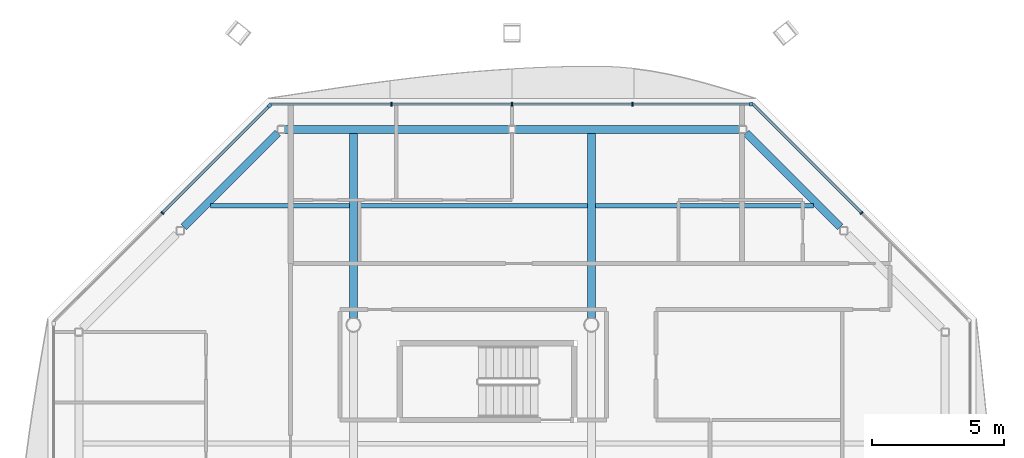
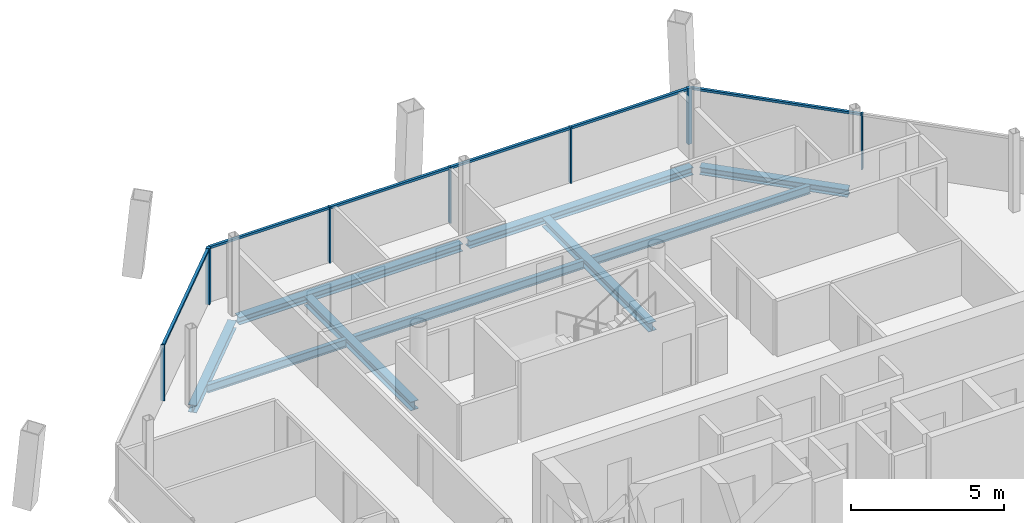
# One storey, part 8 of 16: 13 members, 9 beams, 3 elements without a shape of their own.
"""IFC4 building model written with IfcOpenShell, lengths in metres."""

from ifc_helpers import new_model, si_unit, direction, frame, origin, origin_2d, place, context, subcontext, project, spatial, rectangle, i_section, extrude, material, material_profile, profile_set, type_object, element, aggregate, save


model = new_model("IFC4")

# Units and contexts
model_context = context("Model", 3, precision=1e-05, world=origin(), true_north=direction((0.0, 1.0)))
body_context = subcontext(model_context, "Body", "Model", "MODEL_VIEW")
ifc_project = project(units=[si_unit("LENGTHUNIT", "METRE"), si_unit("AREAUNIT", "SQUARE_METRE"), si_unit("VOLUMEUNIT", "CUBIC_METRE"), si_unit("PLANEANGLEUNIT", "RADIAN"), si_unit("MASSUNIT", "GRAM", prefix="KILO")], contexts=[model_context])

# Site, building, storey
site_placement = place(None, origin())
site = spatial("IfcSite", under=ifc_project, at=site_placement, CompositionType="ELEMENT")
building_placement = place(site_placement, origin())
building = spatial("IfcBuilding", under=site, at=building_placement, Name="Tskaro Facet Tower", CompositionType="ELEMENT")
storey_placement = place(building_placement, frame((0.0, 0.0, 251.85009765625)))
storey = spatial("IfcBuildingStorey", under=building, at=storey_placement, Name="L66", CompositionType="ELEMENT", Elevation=251.85009765625)

# Curtain wall, member
ifc_material_1 = material(Name="Bronze anodised aluminium 6063-T6", Category="aluminium")
curtain_wall_type = type_object("IfcCurtainWallType", Name="Bronze residence curtain wall (FW3)", PredefinedType="NOTDEFINED", material=ifc_material_1)
curtain_wall_1_placement = place(storey_placement, origin())
curtain_wall_1 = element("IfcCurtainWall", 1, at=curtain_wall_1_placement, inside=storey, type_object=curtain_wall_type, Name="FW3 north facet L66", PredefinedType="NOTDEFINED")
ifc_material_profile_1 = material_profile(ifc_material_1, rectangle(XDim=0.139892578125, YDim=0.139892578125, at=origin_2d()), Name="Corner post 140x140")
ifc_profile_set_1 = profile_set([ifc_material_profile_1], Name="Bronze anodised aluminium 6063-T6")
member_type_1 = type_object("IfcMemberType", Name="FW3 bronze corner post 140x140", PredefinedType="MULLION", material=ifc_profile_set_1)
member_1_placement = place(storey_placement, frame((6.048095703125, 17.341064453125, 0.0), z_axis=(0.0, 0.0, 1.0), x_axis=(-1.0, 0.0, 0.0)))
member_1 = element("IfcMember", 2, at=member_1_placement, type_object=member_type_1, Name="FW3 north corner post", PredefinedType="MULLION", context=body_context, shape_type="SweptSolid", body=[
    extrude(rectangle(XDim=0.139892578125, YDim=0.139892578125, at=origin_2d()), origin(), (0.0, 0.0, 1.0), 2.239990234375),
])

curtain_wall_2_placement = place(storey_placement, origin())
curtain_wall_2 = element("IfcCurtainWall", 3, at=curtain_wall_2_placement, inside=storey, type_object=curtain_wall_type, Name="FW3 north-west facet L66", PredefinedType="NOTDEFINED")
member_2_placement = place(storey_placement, frame((-12.16748046875, 17.29150390625, 0.0), z_axis=(0.0, 0.0, 1.0), x_axis=(-0.707106781187, -0.707106781187, 0.0)))
member_2 = element("IfcMember", 4, at=member_2_placement, type_object=member_type_1, Name="FW3 north-west corner post", PredefinedType="MULLION", context=body_context, shape_type="SweptSolid", body=[
    extrude(rectangle(XDim=0.139892578125, YDim=0.139892578125, at=origin_2d()), origin(), (0.0, 0.0, 1.0), 2.239990234375),
])

curtain_wall_3_placement = place(storey_placement, origin())
curtain_wall_3 = element("IfcCurtainWall", 5, at=curtain_wall_3_placement, inside=storey, type_object=curtain_wall_type, Name="FW3 north-east facet L66", PredefinedType="NOTDEFINED")
ifc_material_profile_2 = material_profile(ifc_material_1, rectangle(XDim=0.050048828125, YDim=0.139892578125, at=origin_2d()), Name="Mullion 50x140")
ifc_profile_set_2 = profile_set([ifc_material_profile_2], Name="Bronze anodised aluminium 6063-T6")
member_type_2 = type_object("IfcMemberType", Name="FW3 bronze mullion 50x140", PredefinedType="MULLION", material=ifc_profile_set_2)
member_3_placement = place(storey_placement, frame((10.2294921875, 13.2294921875, 0.0), z_axis=(0.0, 0.0, 1.0), x_axis=(-0.707106781187, 0.707106781187, 0.0)))
member_3 = element("IfcMember", 6, at=member_3_placement, type_object=member_type_2, Name="FW3 north-east mullion 1", PredefinedType="MULLION", context=body_context, shape_type="SweptSolid", body=[
    extrude(rectangle(XDim=0.050048828125, YDim=0.139892578125, at=origin_2d()), origin(), (0.0, 0.0, 1.0), 2.239990234375),
])

# Member
member_4_placement = place(storey_placement, frame((1.55908203125, 17.341064453125, 0.0), z_axis=(0.0, 0.0, 1.0), x_axis=(-1.0, 0.0, 0.0)))
member_4 = element("IfcMember", 7, at=member_4_placement, type_object=member_type_2, Name="FW3 north mullion 1", PredefinedType="MULLION", context=body_context, shape_type="SweptSolid", body=[
    extrude(rectangle(XDim=0.050048828125, YDim=0.139892578125, at=origin_2d()), origin(), (0.0, 0.0, 1.0), 2.239990234375),
])

member_5_placement = place(storey_placement, frame((-3.0, 17.341064453125, 0.0), z_axis=(0.0, 0.0, 1.0), x_axis=(-1.0, 0.0, 0.0)))
member_5 = element("IfcMember", 8, at=member_5_placement, type_object=member_type_2, Name="FW3 north mullion 2", PredefinedType="MULLION", context=body_context, shape_type="SweptSolid", body=[
    extrude(rectangle(XDim=0.050048828125, YDim=0.139892578125, at=origin_2d()), origin(), (0.0, 0.0, 1.0), 2.239990234375),
])

member_6_placement = place(storey_placement, frame((-7.55908203125, 17.341064453125, 0.0), z_axis=(0.0, 0.0, 1.0), x_axis=(-1.0, 0.0, 0.0)))
member_6 = element("IfcMember", 9, at=member_6_placement, type_object=member_type_2, Name="FW3 north mullion 3", PredefinedType="MULLION", context=body_context, shape_type="SweptSolid", body=[
    extrude(rectangle(XDim=0.050048828125, YDim=0.139892578125, at=origin_2d()), origin(), (0.0, 0.0, 1.0), 2.239990234375),
])

member_7_placement = place(storey_placement, frame((-16.2294921875, 13.2294921875, 0.0), z_axis=(0.0, 0.0, 1.0), x_axis=(-0.707106781187, -0.707106781187, 0.0)))
member_7 = element("IfcMember", 10, at=member_7_placement, type_object=member_type_2, Name="FW3 north-west mullion 1", PredefinedType="MULLION", context=body_context, shape_type="SweptSolid", body=[
    extrude(rectangle(XDim=0.050048828125, YDim=0.139892578125, at=origin_2d()), origin(), (0.0, 0.0, 1.0), 2.239990234375),
])

ifc_material_profile_3 = material_profile(ifc_material_1, rectangle(XDim=0.10009765625, YDim=0.090087890625, at=origin_2d()), Name="Transom 100x90")
ifc_profile_set_3 = profile_set([ifc_material_profile_3], Name="Bronze anodised aluminium 6063-T6")
member_type_3 = type_object("IfcMemberType", Name="FW3 bronze transom 100x90", PredefinedType="USERDEFINED", material=ifc_profile_set_3)
member_8_placement = place(storey_placement, frame((10.2119140625, 13.2470703125, 2.19482421875), z_axis=(-0.707106781187, 0.707106781187, 0.0), x_axis=(-0.707106781187, -0.707106781187, 0.0)))
member_8 = element("IfcMember", 11, at=member_8_placement, type_object=member_type_3, Name="FW3 north-east transom 2.1", ObjectType="TRANSOM", PredefinedType="USERDEFINED", context=body_context, shape_type="SweptSolid", body=[
    extrude(rectangle(XDim=0.10009765625, YDim=0.090087890625, at=origin_2d()), origin(), (0.0, 0.0, 1.0), 5.789794921875),
])

aggregate(curtain_wall_3, [member_3, member_8])

member_9_placement = place(storey_placement, frame((5.97802734375, 17.341064453125, 2.19482421875), z_axis=(-1.0, 0.0, 0.0), x_axis=(0.0, -1.0, 0.0)))
member_9 = element("IfcMember", 12, at=member_9_placement, type_object=member_type_3, Name="FW3 north transom 1.1", ObjectType="TRANSOM", PredefinedType="USERDEFINED", context=body_context, shape_type="SweptSolid", body=[
    extrude(rectangle(XDim=0.10009765625, YDim=0.090087890625, at=origin_2d()), origin(), (0.0, 0.0, 1.0), 4.39404296875),
])

member_10_placement = place(storey_placement, frame((1.533935546875, 17.341064453125, 2.19482421875), z_axis=(-1.0, 0.0, 0.0), x_axis=(0.0, -1.0, 0.0)))
member_10 = element("IfcMember", 13, at=member_10_placement, type_object=member_type_3, Name="FW3 north transom 2.1", ObjectType="TRANSOM", PredefinedType="USERDEFINED", context=body_context, shape_type="SweptSolid", body=[
    extrude(rectangle(XDim=0.10009765625, YDim=0.090087890625, at=origin_2d()), origin(), (0.0, 0.0, 1.0), 4.509033203125),
])

member_11_placement = place(storey_placement, frame((-3.02490234375, 17.341064453125, 2.19482421875), z_axis=(-1.0, 0.0, 0.0), x_axis=(0.0, -1.0, 0.0)))
member_11 = element("IfcMember", 14, at=member_11_placement, type_object=member_type_3, Name="FW3 north transom 3.1", ObjectType="TRANSOM", PredefinedType="USERDEFINED", context=body_context, shape_type="SweptSolid", body=[
    extrude(rectangle(XDim=0.10009765625, YDim=0.090087890625, at=origin_2d()), origin(), (0.0, 0.0, 1.0), 4.509033203125),
])

member_12_placement = place(storey_placement, frame((-7.583984375, 17.341064453125, 2.19482421875), z_axis=(-1.0, 0.0, 0.0), x_axis=(0.0, -1.0, 0.0)))
member_12 = element("IfcMember", 15, at=member_12_placement, type_object=member_type_3, Name="FW3 north transom 4.1", ObjectType="TRANSOM", PredefinedType="USERDEFINED", context=body_context, shape_type="SweptSolid", body=[
    extrude(rectangle(XDim=0.10009765625, YDim=0.090087890625, at=origin_2d()), origin(), (0.0, 0.0, 1.0), 4.533935546875),
])

aggregate(curtain_wall_1, [member_1, member_4, member_5, member_6, member_9, member_10, member_11, member_12])

member_13_placement = place(storey_placement, frame((-12.217041015625, 17.241943359375, 2.19482421875), z_axis=(-0.707106781187, -0.707106781187, 0.0), x_axis=(0.707106781187, -0.707106781187, 0.0)))
member_13 = element("IfcMember", 16, at=member_13_placement, type_object=member_type_3, Name="FW3 north-west transom 1.1", ObjectType="TRANSOM", PredefinedType="USERDEFINED", context=body_context, shape_type="SweptSolid", body=[
    extrude(rectangle(XDim=0.10009765625, YDim=0.090087890625, at=origin_2d()), origin(), (0.0, 0.0, 1.0), 5.649658203125),
])

aggregate(curtain_wall_2, [member_2, member_7, member_13])

# Beams
ifc_material_2 = material(Name="Steel S355J2", Category="steel")
ifc_material_profile_4 = material_profile(ifc_material_2, i_section(OverallWidth=0.300048828125, OverallDepth=0.300048828125, WebThickness=0.010986328125, FlangeThickness=0.01904296875, FilletRadius=0.027099609375, at=origin_2d()), Name="HE 300 B")
ifc_profile_set_4 = profile_set([ifc_material_profile_4], Name="Steel S355J2")
beam_type_1 = type_object("IfcBeamType", Name="HE 300 B ring beam", PredefinedType="BEAM", material=ifc_profile_set_4)
beam_1_placement = place(storey_placement, frame((9.422119140625, 12.69384765625, -0.2900390625), z_axis=(-0.707106781187, 0.707106781187, 0.0), x_axis=(-0.707106781187, -0.707106781187, 0.0)))
element("IfcBeam", 17, at=beam_1_placement, inside=storey, type_object=beam_type_1, Name="HE 300 B EB9-5", PredefinedType="BEAM", context=body_context, shape_type="SweptSolid", body=[
    extrude(i_section(OverallWidth=0.300048828125, OverallDepth=0.300048828125, WebThickness=0.010986328125, FlangeThickness=0.01904296875, FilletRadius=0.027099609375, at=origin_2d()), origin(), (0.0, 0.0, 1.0), 5.036376953125),
])
for number, where, z_axis, x_axis, name in (
    (18, (5.594970703125, 16.39111328125, -0.2900390625), (-1.0, 0.0, 0.0), (0.0, -1.0, 0.0), "HE 300 B EB10-5"),
    (19, (-3.1298828125, 16.39111328125, -0.2900390625), (-1.0, 0.0, 0.0), (0.0, -1.0, 0.0), "HE 300 B EB11-5"),
):
    element("IfcBeam", number, at=place(storey_placement, frame(where, z_axis=z_axis, x_axis=x_axis)), inside=storey, type_object=beam_type_1, Name=name, PredefinedType="BEAM", context=body_context, shape_type="SweptSolid", body=[
        extrude(i_section(OverallWidth=0.300048828125, OverallDepth=0.300048828125, WebThickness=0.010986328125, FlangeThickness=0.01904296875, FilletRadius=0.027099609375, at=origin_2d()), origin(), (0.0, 0.0, 1.0), 8.465087890625),
    ])
beam_2_placement = place(storey_placement, frame((-11.86083984375, 16.255126953125, -0.2900390625), z_axis=(-0.707106781187, -0.707106781187, 0.0), x_axis=(0.707106781187, -0.707106781187, 0.0)))
element("IfcBeam", 20, at=beam_2_placement, inside=storey, type_object=beam_type_1, Name="HE 300 B EB12-5", PredefinedType="BEAM", context=body_context, shape_type="SweptSolid", body=[
    extrude(i_section(OverallWidth=0.300048828125, OverallDepth=0.300048828125, WebThickness=0.010986328125, FlangeThickness=0.01904296875, FilletRadius=0.027099609375, at=origin_2d()), origin(), (0.0, 0.0, 1.0), 5.036376953125),
])
ifc_material_profile_5 = material_profile(ifc_material_2, i_section(OverallWidth=0.300048828125, OverallDepth=0.35009765625, WebThickness=0.010009765625, FlangeThickness=0.017578125, FilletRadius=0.027099609375, at=origin_2d()), Name="HE 360 A")
ifc_profile_set_5 = profile_set([ifc_material_profile_5], Name="Steel S355J2")
beam_type_2 = type_object("IfcBeamType", Name="HE 360 A girder", PredefinedType="BEAM", material=ifc_profile_set_5)
for number, where, z_axis, x_axis, name in (
    (21, (-9.0, 9.24951171875, -0.315185546875), (0.0, 1.0, 0.0), (-1.0, 0.0, 0.0), "HE 360 A GB3-3-5"),
    (22, (0.0, 9.24951171875, -0.315185546875), (0.0, 1.0, 0.0), (-1.0, 0.0, 0.0), "HE 360 A GB4-3-5"),
):
    element("IfcBeam", number, at=place(storey_placement, frame(where, z_axis=z_axis, x_axis=x_axis)), inside=storey, type_object=beam_type_2, Name=name, PredefinedType="BEAM", context=body_context, shape_type="SweptSolid", body=[
        extrude(i_section(OverallWidth=0.300048828125, OverallDepth=0.35009765625, WebThickness=0.010009765625, FlangeThickness=0.017578125, FilletRadius=0.027099609375, at=origin_2d()), origin(), (0.0, 0.0, 1.0), 6.991455078125),
    ])
ifc_material_profile_6 = material_profile(ifc_material_2, i_section(OverallWidth=0.159912109375, OverallDepth=0.330078125, WebThickness=0.007568359375, FlangeThickness=0.011474609375, FilletRadius=0.01806640625, at=origin_2d()), Name="IPE 330")
ifc_profile_set_6 = profile_set([ifc_material_profile_6], Name="Steel S355J2")
beam_type_3 = type_object("IfcBeamType", Name="IPE 330 secondary beam", PredefinedType="BEAM", material=ifc_profile_set_6)
beam_3_placement = place(storey_placement, frame((-14.404052734375, 13.5, -0.30517578125), z_axis=(1.0, 0.0, 0.0), x_axis=(0.0, 1.0, 0.0)))
element("IfcBeam", 23, at=beam_3_placement, inside=storey, type_object=beam_type_3, Name="IPE 330 SB5a-1-5", PredefinedType="BEAM", context=body_context, shape_type="SweptSolid", body=[
    extrude(i_section(OverallWidth=0.159912109375, OverallDepth=0.330078125, WebThickness=0.007568359375, FlangeThickness=0.011474609375, FilletRadius=0.01806640625, at=origin_2d()), origin(), (0.0, 0.0, 1.0), 5.254150390625),
])
beam_4_placement = place(storey_placement, frame((-8.85009765625, 13.5, -0.30517578125), z_axis=(1.0, 0.0, 0.0), x_axis=(0.0, 1.0, 0.0)))
element("IfcBeam", 24, at=beam_4_placement, inside=storey, type_object=beam_type_3, Name="IPE 330 SB5a-2-5", PredefinedType="BEAM", context=body_context, shape_type="SweptSolid", body=[
    extrude(i_section(OverallWidth=0.159912109375, OverallDepth=0.330078125, WebThickness=0.007568359375, FlangeThickness=0.011474609375, FilletRadius=0.01806640625, at=origin_2d()), origin(), (0.0, 0.0, 1.0), 8.7001953125),
])
beam_5_placement = place(storey_placement, frame((0.14990234375, 13.5, -0.30517578125), z_axis=(1.0, 0.0, 0.0), x_axis=(0.0, 1.0, 0.0)))
element("IfcBeam", 25, at=beam_5_placement, inside=storey, type_object=beam_type_3, Name="IPE 330 SB5a-3-5", PredefinedType="BEAM", context=body_context, shape_type="SweptSolid", body=[
    extrude(i_section(OverallWidth=0.159912109375, OverallDepth=0.330078125, WebThickness=0.007568359375, FlangeThickness=0.011474609375, FilletRadius=0.01806640625, at=origin_2d()), origin(), (0.0, 0.0, 1.0), 8.254150390625),
])

save(model, "model.ifc")
